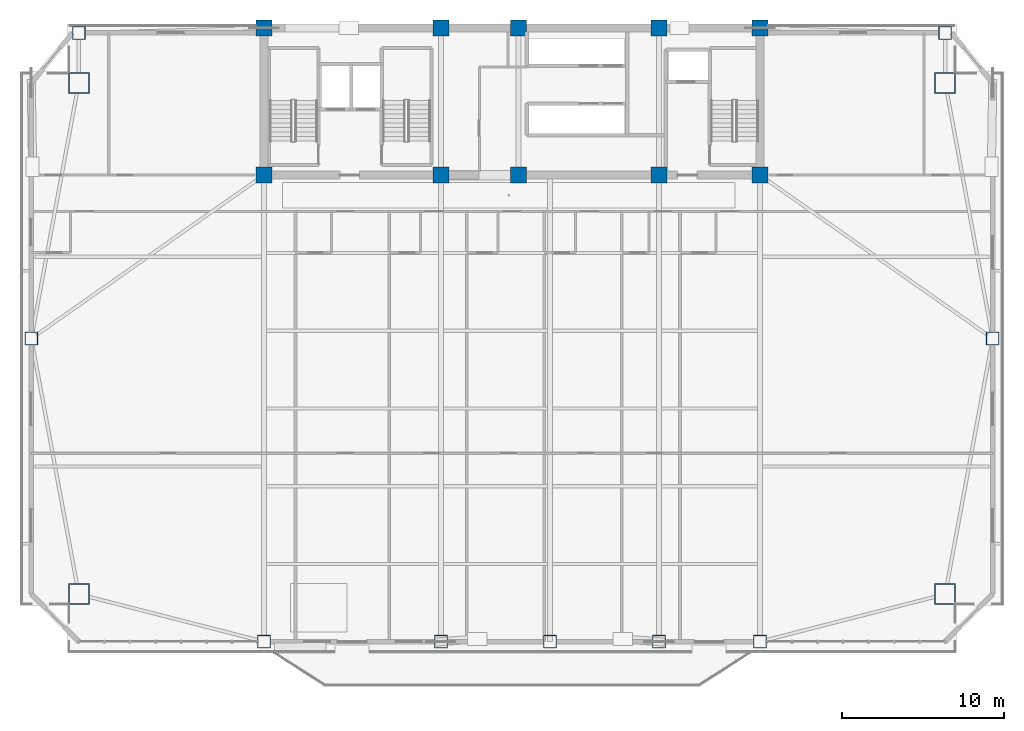
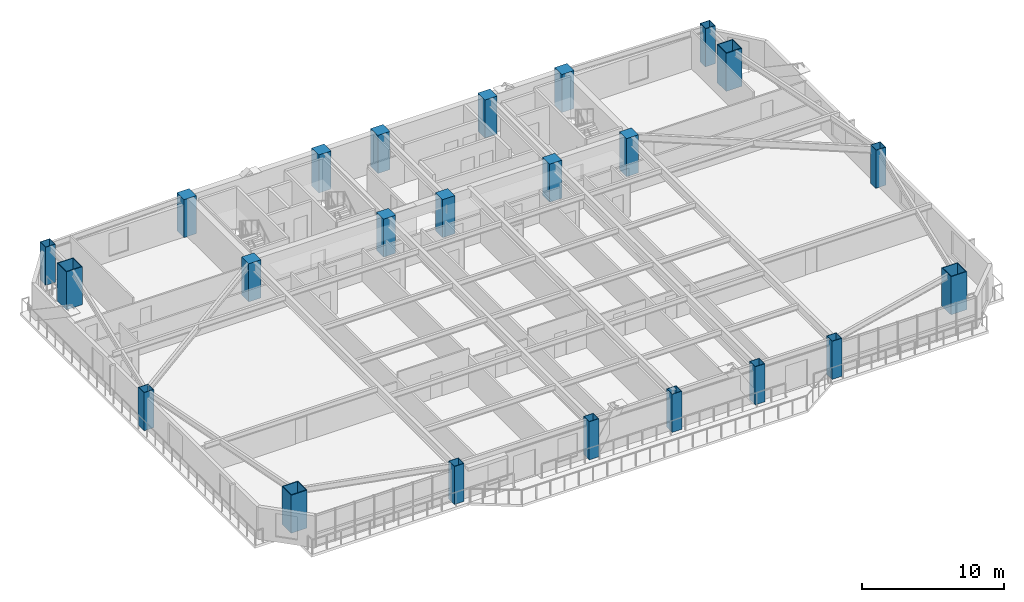
# One storey, part 1 of 15: 23 columns.
"""IFC4 building model written with IfcOpenShell, lengths in metres."""

from ifc_helpers import new_model, si_unit, direction, frame, origin, origin_2d, place, context, subcontext, project, spatial, rectangle, hollow_rectangle, extrude, source, transform, mapped, material, material_profile, profile_set, type_object, element, save


model = new_model("IFC4")

# Units and contexts
model_context = context("Model", 3, precision=1e-05, world=origin(), true_north=direction((0.0, 1.0)))
body_context = subcontext(model_context, "Body", "Model", "MODEL_VIEW")
ifc_project = project(units=[si_unit("LENGTHUNIT", "METRE"), si_unit("AREAUNIT", "SQUARE_METRE"), si_unit("VOLUMEUNIT", "CUBIC_METRE"), si_unit("PLANEANGLEUNIT", "RADIAN"), si_unit("MASSUNIT", "GRAM", prefix="KILO")], contexts=[model_context])

# Site, building, storey
site_placement = place(None, origin())
site = spatial("IfcSite", under=ifc_project, at=site_placement, CompositionType="ELEMENT")
building_placement = place(site_placement, origin())
building = spatial("IfcBuilding", under=site, at=building_placement, Name="Giltprow Tower", CompositionType="ELEMENT")
storey_placement = place(building_placement, frame((0.0, 0.0, 149.199951171875)))
storey = spatial("IfcBuildingStorey", under=building, at=storey_placement, Name="L36", CompositionType="ELEMENT", Elevation=149.199951171875)

# Columns
ifc_material_1 = material(Name="Structural steel Q420GJC", Category="steel")
ifc_material_profile_1 = material_profile(ifc_material_1, hollow_rectangle(XDim=1.300048828125, YDim=1.300048828125, WallThickness=0.06005859375, at=origin_2d()), Name="BOX 1300x1300x60")
ifc_profile_set_1 = profile_set([ifc_material_profile_1], Name="Structural steel Q420GJC")
column_type_1 = type_object("IfcColumnType", Name="COL-BOX-1300x1300x60", PredefinedType="COLUMN", material=ifc_profile_set_1)
shared_shape_1 = source(origin(), body_context, "Body", "SweptSolid", [
    extrude(hollow_rectangle(XDim=1.300048828125, YDim=1.300048828125, WallThickness=0.06005859375, at=origin_2d()), origin(), (0.0, 0.0, 1.0), 3.27001953125),
])
for number, where, z_axis, x_axis, name in (
    (1, (8.387939453125, 11.510986328125, 0.0), (0.0, 0.0, 1.0), (1.0, 0.0, 0.0), "L36 Mega-Column MC_SW"),
    (2, (62.011962890625, 11.510986328125, 0.0), (0.0, 0.0, 1.0), (1.0, 0.0, 0.0), "L36 Mega-Column MC_SE"),
    (3, (8.387939453125, 43.160888671875, 0.0), (0.0, 0.0, 1.0), (1.0, 0.0, 0.0), "L36 Mega-Column MC_NW"),
    (4, (62.011962890625, 43.160888671875, 0.0), (0.0, 0.0, 1.0), (1.0, 0.0, 0.0), "L36 Mega-Column MC_NE"),
):
    element("IfcColumn", number, at=place(storey_placement, frame(where, z_axis=z_axis, x_axis=x_axis)), inside=storey, type_object=column_type_1, Name=name, PredefinedType="COLUMN", context=body_context, shape_type="MappedRepresentation", body=[
        mapped(shared_shape_1, transform((0.0, 0.0, 0.0), x_axis=(1.0, 0.0, 0.0), y_axis=(0.0, 1.0, 0.0), z_axis=(0.0, 0.0, 1.0), scale=1.0)),
    ])
ifc_material_profile_2 = material_profile(ifc_material_1, hollow_rectangle(XDim=0.800048828125, YDim=0.800048828125, WallThickness=0.035888671875, at=origin_2d()), Name="BOX 800x800x36")
ifc_profile_set_2 = profile_set([ifc_material_profile_2], Name="Structural steel Q420GJC")
column_type_2 = type_object("IfcColumnType", Name="COL-BOX-800x800x36", PredefinedType="COLUMN", material=ifc_profile_set_2)
shared_shape_2 = source(origin(), body_context, "Body", "SweptSolid", [
    extrude(hollow_rectangle(XDim=0.800048828125, YDim=0.800048828125, WallThickness=0.035888671875, at=origin_2d()), origin(), (0.0, 0.0, 1.0), 3.27001953125),
])
for number, where, z_axis, x_axis, name in (
    (5, (19.85009765625, 8.572021484375, 0.0), (0.0, 0.0, 1.0), (1.0, 0.0, 0.0), "L36 Perimeter Column S1"),
    (6, (30.800048828125, 8.572021484375, 0.0), (0.0, 0.0, 1.0), (1.0, 0.0, 0.0), "L36 Perimeter Column S2"),
    (7, (37.550048828125, 8.572021484375, 0.0), (0.0, 0.0, 1.0), (1.0, 0.0, 0.0), "L36 Perimeter Column S_MID"),
    (8, (44.300048828125, 8.572021484375, 0.0), (0.0, 0.0, 1.0), (1.0, 0.0, 0.0), "L36 Perimeter Column S3"),
    (9, (50.550048828125, 8.572021484375, 0.0), (0.0, 0.0, 1.0), (1.0, 0.0, 0.0), "L36 Perimeter Column S4"),
    (10, (5.448974609375, 27.3359375, 0.0), (0.0, 0.0, 1.0), (1.0, 0.0, 0.0), "L36 Perimeter Column W_MID"),
    (11, (64.950927734375, 27.3359375, 0.0), (0.0, 0.0, 1.0), (1.0, 0.0, 0.0), "L36 Perimeter Column E_MID"),
    (12, (8.387939453125, 46.25, 0.0), (0.0, 0.0, 1.0), (1.0, 0.0, 0.0), "L36 Perimeter Column N_W"),
    (13, (62.011962890625, 46.25, 0.0), (0.0, 0.0, 1.0), (1.0, 0.0, 0.0), "L36 Perimeter Column N_E"),
):
    element("IfcColumn", number, at=place(storey_placement, frame(where, z_axis=z_axis, x_axis=x_axis)), inside=storey, type_object=column_type_2, Name=name, PredefinedType="COLUMN", context=body_context, shape_type="MappedRepresentation", body=[
        mapped(shared_shape_2, transform((0.0, 0.0, 0.0), x_axis=(1.0, 0.0, 0.0), y_axis=(0.0, 1.0, 0.0), z_axis=(0.0, 0.0, 1.0), scale=1.0)),
    ])
ifc_material_2 = material(Name="Concrete C50", Category="concrete")
ifc_material_profile_3 = material_profile(ifc_material_2, rectangle(XDim=1.0, YDim=1.0, at=origin_2d()), Name="RC 1000x1000")
ifc_profile_set_3 = profile_set([ifc_material_profile_3], Name="Concrete C50")
column_type_3 = type_object("IfcColumnType", Name="PIL-RC-1000-C50", PredefinedType="PILASTER", material=ifc_profile_set_3)
shared_shape_3 = source(origin(), body_context, "Body", "SweptSolid", [
    extrude(rectangle(XDim=1.0, YDim=1.0, at=origin_2d()), origin(), (0.0, 0.0, 1.0), 3.27001953125),
])
for number, where, z_axis, x_axis, name in (
    (14, (19.85009765625, 37.449951171875, 0.0), (0.0, 0.0, 1.0), (1.0, 0.0, 0.0), "L36 Core Boundary Pilaster 1-1"),
    (15, (19.85009765625, 46.550048828125, 0.0), (0.0, 0.0, 1.0), (1.0, 0.0, 0.0), "L36 Core Boundary Pilaster 1-2"),
    (16, (30.800048828125, 37.449951171875, 0.0), (0.0, 0.0, 1.0), (1.0, 0.0, 0.0), "L36 Core Boundary Pilaster 2-1"),
    (17, (30.800048828125, 46.550048828125, 0.0), (0.0, 0.0, 1.0), (1.0, 0.0, 0.0), "L36 Core Boundary Pilaster 2-2"),
    (18, (35.60009765625, 37.449951171875, 0.0), (0.0, 0.0, 1.0), (1.0, 0.0, 0.0), "L36 Core Boundary Pilaster 3-1"),
    (19, (35.60009765625, 46.550048828125, 0.0), (0.0, 0.0, 1.0), (1.0, 0.0, 0.0), "L36 Core Boundary Pilaster 3-2"),
    (20, (44.300048828125, 37.449951171875, 0.0), (0.0, 0.0, 1.0), (1.0, 0.0, 0.0), "L36 Core Boundary Pilaster 4-1"),
    (21, (44.300048828125, 46.550048828125, 0.0), (0.0, 0.0, 1.0), (1.0, 0.0, 0.0), "L36 Core Boundary Pilaster 4-2"),
    (22, (50.550048828125, 37.449951171875, 0.0), (0.0, 0.0, 1.0), (1.0, 0.0, 0.0), "L36 Core Boundary Pilaster 5-1"),
    (23, (50.550048828125, 46.550048828125, 0.0), (0.0, 0.0, 1.0), (1.0, 0.0, 0.0), "L36 Core Boundary Pilaster 5-2"),
):
    element("IfcColumn", number, at=place(storey_placement, frame(where, z_axis=z_axis, x_axis=x_axis)), inside=storey, type_object=column_type_3, Name=name, PredefinedType="PILASTER", context=body_context, shape_type="MappedRepresentation", body=[
        mapped(shared_shape_3, transform((0.0, 0.0, 0.0), x_axis=(1.0, 0.0, 0.0), y_axis=(0.0, 1.0, 0.0), z_axis=(0.0, 0.0, 1.0), scale=1.0)),
    ])

save(model, "model.ifc")
